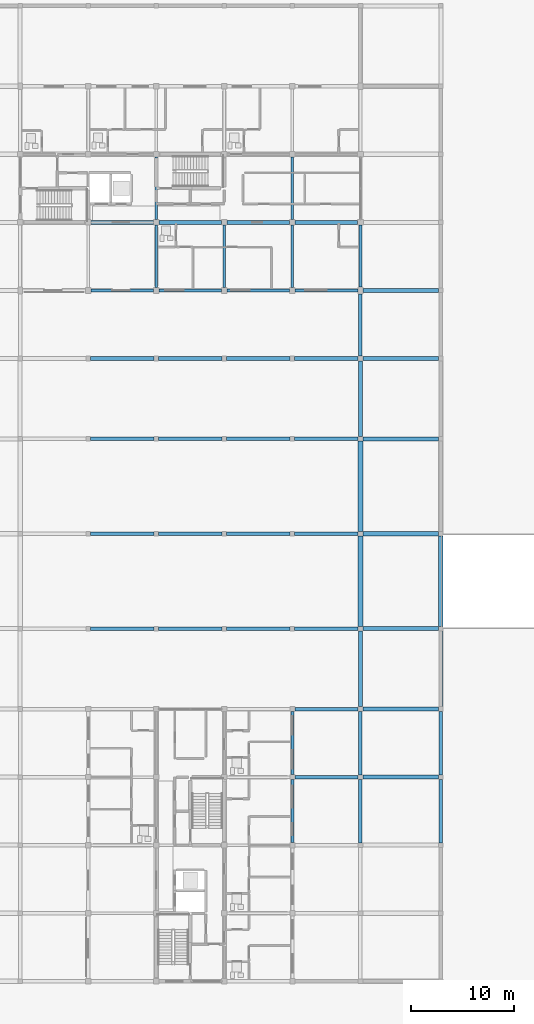
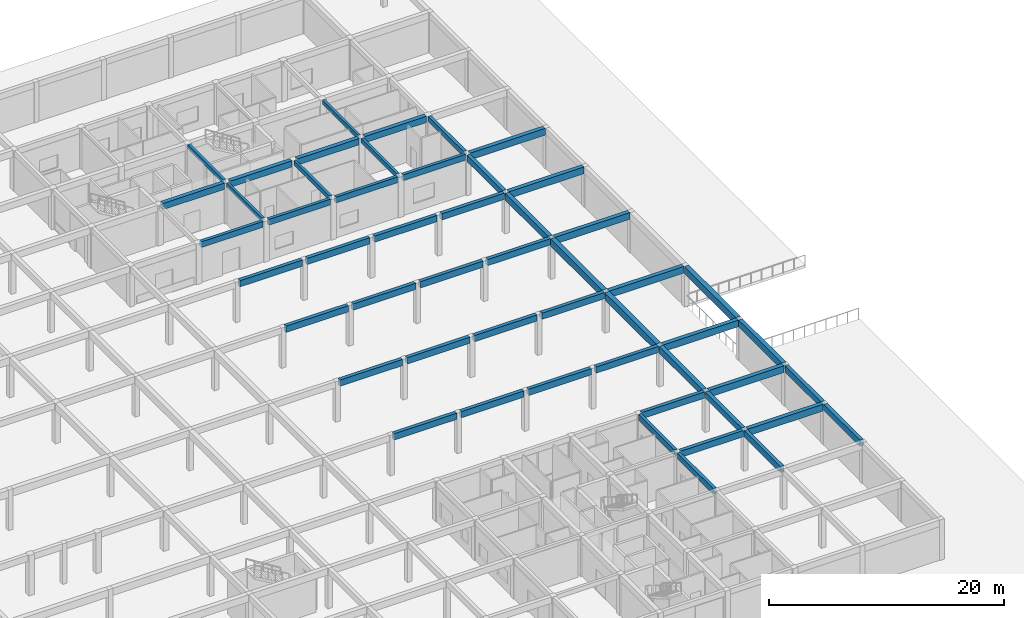
# One storey, part 41 of 75: 52 beams.
"""IFC4 building model written with IfcOpenShell, lengths in metres."""

from ifc_helpers import new_model, si_unit, direction, frame, origin, origin_2d, place, context, subcontext, project, spatial, rectangle, extrude, material, material_profile, profile_set, type_object, element, save


model = new_model("IFC4")

# Units and contexts
model_context = context("Model", 3, precision=1e-05, world=origin(), true_north=direction((0.0, 1.0)))
body_context = subcontext(model_context, "Body", "Model", "MODEL_VIEW")
ifc_project = project(units=[si_unit("LENGTHUNIT", "METRE"), si_unit("AREAUNIT", "SQUARE_METRE"), si_unit("VOLUMEUNIT", "CUBIC_METRE"), si_unit("PLANEANGLEUNIT", "RADIAN"), si_unit("MASSUNIT", "GRAM", prefix="KILO")], contexts=[model_context])

# Site, building, storey
site_placement = place(None, origin())
site = spatial("IfcSite", under=ifc_project, at=site_placement, CompositionType="ELEMENT")
building_placement = place(site_placement, origin())
building = spatial("IfcBuilding", under=site, at=building_placement, Name="Kernevlak Ridge Housing Community", CompositionType="ELEMENT")
storey_placement = place(building_placement, origin())
storey = spatial("IfcBuildingStorey", under=building, at=storey_placement, Name="L00", CompositionType="ELEMENT", Elevation=0.0)

# Beams
ifc_material = material(Name="Concrete C35/45", Category="concrete")
ifc_material_profile_1 = material_profile(ifc_material, rectangle(XDim=0.39990234375, YDim=0.699951171875, at=origin_2d()), Name="RC 400x700")
ifc_profile_set_1 = profile_set([ifc_material_profile_1], Name="Concrete C35/45")
beam_type_1 = type_object("IfcBeamType", Name="B-01", PredefinedType="BEAM", material=ifc_profile_set_1)
for number, where, z_axis, x_axis, name in (
    (1, (152.625, 35.39990234375, 3.85009765625), (1.0, 0.0, 0.0), (0.0, 1.0, 0.0), "Beam B-01 L00 2104"),
    (2, (152.625, 42.0, 3.85009765625), (1.0, 0.0, 0.0), (0.0, 1.0, 0.0), "Beam B-01 L00 2121"),
    (3, (152.625, 49.800048828125, 3.85009765625), (1.0, 0.0, 0.0), (0.0, 1.0, 0.0), "Beam B-01 L00 2144"),
    (4, (152.625, 59.0, 3.85009765625), (1.0, 0.0, 0.0), (0.0, 1.0, 0.0), "Beam B-01 L00 2163"),
    (5, (152.625, 68.199951171875, 3.85009765625), (1.0, 0.0, 0.0), (0.0, 1.0, 0.0), "Beam B-01 L00 2186"),
    (6, (152.625, 76.0, 3.85009765625), (1.0, 0.0, 0.0), (0.0, 1.0, 0.0), "Beam B-01 L00 2203"),
    (7, (152.625, 82.60009765625, 3.85009765625), (1.0, 0.0, 0.0), (0.0, 1.0, 0.0), "Beam B-01 L00 2213"),
):
    element("IfcBeam", number, at=place(storey_placement, frame(where, z_axis=z_axis, x_axis=x_axis)), inside=storey, type_object=beam_type_1, Name=name, PredefinedType="BEAM", context=body_context, shape_type="SweptSolid", body=[
        extrude(rectangle(XDim=0.39990234375, YDim=0.699951171875, at=origin_2d()), origin(), (0.0, 0.0, 1.0), 7.35009765625),
    ])
for number, where, z_axis, x_axis, name in (
    (8, (152.39990234375, 42.22509765625, 3.85009765625), (0.0, 1.0, 0.0), (-1.0, 0.0, 0.0), "Beam B-01 L00 2383"),
    (9, (152.39990234375, 68.425048828125, 3.85009765625), (0.0, 1.0, 0.0), (-1.0, 0.0, 0.0), "Beam B-01 L00 2386"),
    (10, (160.199951171875, 42.22509765625, 3.85009765625), (0.0, 1.0, 0.0), (-1.0, 0.0, 0.0), "Beam B-01 L00 2393"),
):
    element("IfcBeam", number, at=place(storey_placement, frame(where, z_axis=z_axis, x_axis=x_axis)), inside=storey, type_object=beam_type_1, Name=name, PredefinedType="BEAM", context=body_context, shape_type="SweptSolid", body=[
        extrude(rectangle(XDim=0.39990234375, YDim=0.699951171875, at=origin_2d()), origin(), (0.0, 0.0, 1.0), 7.349853515625),
    ])
ifc_material_profile_2 = material_profile(ifc_material, rectangle(XDim=0.35009765625, YDim=0.64990234375, at=origin_2d()), Name="RC 350x650")
ifc_profile_set_2 = profile_set([ifc_material_profile_2], Name="Concrete C35/45")
beam_type_2 = type_object("IfcBeamType", Name="B-02", PredefinedType="BEAM", material=ifc_profile_set_2)
for number, where, z_axis, x_axis, name in (
    (11, (146.050048828125, 35.39990234375, 3.875), (1.0, 0.0, 0.0), (0.0, 1.0, 0.0), "Beam B-02 L00 2103"),
    (12, (146.050048828125, 42.0, 3.875), (1.0, 0.0, 0.0), (0.0, 1.0, 0.0), "Beam B-02 L00 2120"),
):
    element("IfcBeam", number, at=place(storey_placement, frame(where, z_axis=z_axis, x_axis=x_axis)), inside=storey, type_object=beam_type_2, Name=name, PredefinedType="BEAM", context=body_context, shape_type="SweptSolid", body=[
        extrude(rectangle(XDim=0.35009765625, YDim=0.64990234375, at=origin_2d()), origin(), (0.0, 0.0, 1.0), 6.125),
    ])
beam_1_placement = place(storey_placement, frame((126.22509765625, 49.800048828125, 3.875), z_axis=(1.0, 0.0, 0.0), x_axis=(0.0, 1.0, 0.0)))
element("IfcBeam", 13, at=beam_1_placement, inside=storey, type_object=beam_type_2, Name="Beam B-02 L00 2140", PredefinedType="BEAM", context=body_context, shape_type="SweptSolid", body=[
    extrude(rectangle(XDim=0.35009765625, YDim=0.64990234375, at=origin_2d()), origin(), (0.0, 0.0, 1.0), 6.14990234375),
])
beam_2_placement = place(storey_placement, frame((132.824951171875, 49.800048828125, 3.875), z_axis=(1.0, 0.0, 0.0), x_axis=(0.0, 1.0, 0.0)))
element("IfcBeam", 14, at=beam_2_placement, inside=storey, type_object=beam_type_2, Name="Beam B-02 L00 2141", PredefinedType="BEAM", context=body_context, shape_type="SweptSolid", body=[
    extrude(rectangle(XDim=0.35009765625, YDim=0.64990234375, at=origin_2d()), origin(), (0.0, 0.0, 1.0), 6.150146484375),
])
beam_3_placement = place(storey_placement, frame((139.425048828125, 49.800048828125, 3.875), z_axis=(1.0, 0.0, 0.0), x_axis=(0.0, 1.0, 0.0)))
element("IfcBeam", 15, at=beam_3_placement, inside=storey, type_object=beam_type_2, Name="Beam B-02 L00 2142", PredefinedType="BEAM", context=body_context, shape_type="SweptSolid", body=[
    extrude(rectangle(XDim=0.35009765625, YDim=0.64990234375, at=origin_2d()), origin(), (0.0, 0.0, 1.0), 6.14990234375),
])
beam_4_placement = place(storey_placement, frame((146.02490234375, 49.800048828125, 3.875), z_axis=(1.0, 0.0, 0.0), x_axis=(0.0, 1.0, 0.0)))
element("IfcBeam", 16, at=beam_4_placement, inside=storey, type_object=beam_type_2, Name="Beam B-02 L00 2143", PredefinedType="BEAM", context=body_context, shape_type="SweptSolid", body=[
    extrude(rectangle(XDim=0.35009765625, YDim=0.64990234375, at=origin_2d()), origin(), (0.0, 0.0, 1.0), 6.150146484375),
])
beam_5_placement = place(storey_placement, frame((126.22509765625, 59.0, 3.875), z_axis=(1.0, 0.0, 0.0), x_axis=(0.0, 1.0, 0.0)))
element("IfcBeam", 17, at=beam_5_placement, inside=storey, type_object=beam_type_2, Name="Beam B-02 L00 2159", PredefinedType="BEAM", context=body_context, shape_type="SweptSolid", body=[
    extrude(rectangle(XDim=0.35009765625, YDim=0.64990234375, at=origin_2d()), origin(), (0.0, 0.0, 1.0), 6.14990234375),
])
beam_6_placement = place(storey_placement, frame((132.824951171875, 59.0, 3.875), z_axis=(1.0, 0.0, 0.0), x_axis=(0.0, 1.0, 0.0)))
element("IfcBeam", 18, at=beam_6_placement, inside=storey, type_object=beam_type_2, Name="Beam B-02 L00 2160", PredefinedType="BEAM", context=body_context, shape_type="SweptSolid", body=[
    extrude(rectangle(XDim=0.35009765625, YDim=0.64990234375, at=origin_2d()), origin(), (0.0, 0.0, 1.0), 6.150146484375),
])
beam_7_placement = place(storey_placement, frame((139.425048828125, 59.0, 3.875), z_axis=(1.0, 0.0, 0.0), x_axis=(0.0, 1.0, 0.0)))
element("IfcBeam", 19, at=beam_7_placement, inside=storey, type_object=beam_type_2, Name="Beam B-02 L00 2161", PredefinedType="BEAM", context=body_context, shape_type="SweptSolid", body=[
    extrude(rectangle(XDim=0.35009765625, YDim=0.64990234375, at=origin_2d()), origin(), (0.0, 0.0, 1.0), 6.14990234375),
])
beam_8_placement = place(storey_placement, frame((146.02490234375, 59.0, 3.875), z_axis=(1.0, 0.0, 0.0), x_axis=(0.0, 1.0, 0.0)))
element("IfcBeam", 20, at=beam_8_placement, inside=storey, type_object=beam_type_2, Name="Beam B-02 L00 2162", PredefinedType="BEAM", context=body_context, shape_type="SweptSolid", body=[
    extrude(rectangle(XDim=0.35009765625, YDim=0.64990234375, at=origin_2d()), origin(), (0.0, 0.0, 1.0), 6.150146484375),
])
beam_9_placement = place(storey_placement, frame((126.22509765625, 68.199951171875, 3.875), z_axis=(1.0, 0.0, 0.0), x_axis=(0.0, 1.0, 0.0)))
element("IfcBeam", 21, at=beam_9_placement, inside=storey, type_object=beam_type_2, Name="Beam B-02 L00 2182", PredefinedType="BEAM", context=body_context, shape_type="SweptSolid", body=[
    extrude(rectangle(XDim=0.35009765625, YDim=0.64990234375, at=origin_2d()), origin(), (0.0, 0.0, 1.0), 6.14990234375),
])
beam_10_placement = place(storey_placement, frame((132.824951171875, 68.199951171875, 3.875), z_axis=(1.0, 0.0, 0.0), x_axis=(0.0, 1.0, 0.0)))
element("IfcBeam", 22, at=beam_10_placement, inside=storey, type_object=beam_type_2, Name="Beam B-02 L00 2183", PredefinedType="BEAM", context=body_context, shape_type="SweptSolid", body=[
    extrude(rectangle(XDim=0.35009765625, YDim=0.64990234375, at=origin_2d()), origin(), (0.0, 0.0, 1.0), 6.150146484375),
])
beam_11_placement = place(storey_placement, frame((139.425048828125, 68.199951171875, 3.875), z_axis=(1.0, 0.0, 0.0), x_axis=(0.0, 1.0, 0.0)))
element("IfcBeam", 23, at=beam_11_placement, inside=storey, type_object=beam_type_2, Name="Beam B-02 L00 2184", PredefinedType="BEAM", context=body_context, shape_type="SweptSolid", body=[
    extrude(rectangle(XDim=0.35009765625, YDim=0.64990234375, at=origin_2d()), origin(), (0.0, 0.0, 1.0), 6.14990234375),
])
beam_12_placement = place(storey_placement, frame((146.02490234375, 68.199951171875, 3.875), z_axis=(1.0, 0.0, 0.0), x_axis=(0.0, 1.0, 0.0)))
element("IfcBeam", 24, at=beam_12_placement, inside=storey, type_object=beam_type_2, Name="Beam B-02 L00 2185", PredefinedType="BEAM", context=body_context, shape_type="SweptSolid", body=[
    extrude(rectangle(XDim=0.35009765625, YDim=0.64990234375, at=origin_2d()), origin(), (0.0, 0.0, 1.0), 6.150146484375),
])
beam_13_placement = place(storey_placement, frame((126.22509765625, 76.0, 3.875), z_axis=(1.0, 0.0, 0.0), x_axis=(0.0, 1.0, 0.0)))
element("IfcBeam", 25, at=beam_13_placement, inside=storey, type_object=beam_type_2, Name="Beam B-02 L00 2199", PredefinedType="BEAM", context=body_context, shape_type="SweptSolid", body=[
    extrude(rectangle(XDim=0.35009765625, YDim=0.64990234375, at=origin_2d()), origin(), (0.0, 0.0, 1.0), 6.14990234375),
])
beam_14_placement = place(storey_placement, frame((132.824951171875, 76.0, 3.875), z_axis=(1.0, 0.0, 0.0), x_axis=(0.0, 1.0, 0.0)))
element("IfcBeam", 26, at=beam_14_placement, inside=storey, type_object=beam_type_2, Name="Beam B-02 L00 2200", PredefinedType="BEAM", context=body_context, shape_type="SweptSolid", body=[
    extrude(rectangle(XDim=0.35009765625, YDim=0.64990234375, at=origin_2d()), origin(), (0.0, 0.0, 1.0), 6.150146484375),
])
beam_15_placement = place(storey_placement, frame((139.425048828125, 76.0, 3.875), z_axis=(1.0, 0.0, 0.0), x_axis=(0.0, 1.0, 0.0)))
element("IfcBeam", 27, at=beam_15_placement, inside=storey, type_object=beam_type_2, Name="Beam B-02 L00 2201", PredefinedType="BEAM", context=body_context, shape_type="SweptSolid", body=[
    extrude(rectangle(XDim=0.35009765625, YDim=0.64990234375, at=origin_2d()), origin(), (0.0, 0.0, 1.0), 6.14990234375),
])
for number, where, z_axis, x_axis, name in (
    (28, (146.02490234375, 76.0, 3.875), (1.0, 0.0, 0.0), (0.0, 1.0, 0.0), "Beam B-02 L00 2202"),
    (29, (152.39990234375, 29.02490234375, 3.875), (0.0, 1.0, 0.0), (-1.0, 0.0, 0.0), "Beam B-02 L00 2381"),
):
    element("IfcBeam", number, at=place(storey_placement, frame(where, z_axis=z_axis, x_axis=x_axis)), inside=storey, type_object=beam_type_2, Name=name, PredefinedType="BEAM", context=body_context, shape_type="SweptSolid", body=[
        extrude(rectangle(XDim=0.35009765625, YDim=0.64990234375, at=origin_2d()), origin(), (0.0, 0.0, 1.0), 6.150146484375),
    ])
beam_16_placement = place(storey_placement, frame((152.39990234375, 35.625, 3.875), z_axis=(0.0, 1.0, 0.0), x_axis=(-1.0, 0.0, 0.0)))
element("IfcBeam", 30, at=beam_16_placement, inside=storey, type_object=beam_type_2, Name="Beam B-02 L00 2382", PredefinedType="BEAM", context=body_context, shape_type="SweptSolid", body=[
    extrude(rectangle(XDim=0.35009765625, YDim=0.64990234375, at=origin_2d()), origin(), (0.0, 0.0, 1.0), 6.14990234375),
])
beam_17_placement = place(storey_placement, frame((152.39990234375, 76.22509765625, 3.875), z_axis=(0.0, 1.0, 0.0), x_axis=(-1.0, 0.0, 0.0)))
element("IfcBeam", 31, at=beam_17_placement, inside=storey, type_object=beam_type_2, Name="Beam B-02 L00 2387", PredefinedType="BEAM", context=body_context, shape_type="SweptSolid", body=[
    extrude(rectangle(XDim=0.35009765625, YDim=0.64990234375, at=origin_2d()), origin(), (0.0, 0.0, 1.0), 6.0498046875),
])
beam_18_placement = place(storey_placement, frame((160.199951171875, 29.02490234375, 3.875), z_axis=(0.0, 1.0, 0.0), x_axis=(-1.0, 0.0, 0.0)))
element("IfcBeam", 32, at=beam_18_placement, inside=storey, type_object=beam_type_2, Name="Beam B-02 L00 2391", PredefinedType="BEAM", context=body_context, shape_type="SweptSolid", body=[
    extrude(rectangle(XDim=0.35009765625, YDim=0.64990234375, at=origin_2d()), origin(), (0.0, 0.0, 1.0), 6.150146484375),
])
beam_19_placement = place(storey_placement, frame((160.199951171875, 35.625, 3.875), z_axis=(0.0, 1.0, 0.0), x_axis=(-1.0, 0.0, 0.0)))
element("IfcBeam", 33, at=beam_19_placement, inside=storey, type_object=beam_type_2, Name="Beam B-02 L00 2392", PredefinedType="BEAM", context=body_context, shape_type="SweptSolid", body=[
    extrude(rectangle(XDim=0.35009765625, YDim=0.64990234375, at=origin_2d()), origin(), (0.0, 0.0, 1.0), 6.14990234375),
])
ifc_material_profile_3 = material_profile(ifc_material, rectangle(XDim=0.39990234375, YDim=0.64990234375, at=origin_2d()), Name="RC 400x650")
ifc_profile_set_3 = profile_set([ifc_material_profile_3], Name="Concrete C35/45")
beam_type_3 = type_object("IfcBeamType", Name="B-03", PredefinedType="T_BEAM", material=ifc_profile_set_3)
for number, where, z_axis, x_axis, name in (
    (34, (126.27490234375, 89.199951171875, 3.875), (1.0, 0.0, 0.0), (0.0, 1.0, 0.0), "Beam B-03 L00 563"),
    (35, (132.875, 89.199951171875, 3.875), (1.0, 0.0, 0.0), (0.0, 1.0, 0.0), "Beam B-03 L00 564"),
):
    element("IfcBeam", number, at=place(storey_placement, frame(where, z_axis=z_axis, x_axis=x_axis)), inside=storey, type_object=beam_type_3, Name=name, PredefinedType="T_BEAM", context=body_context, shape_type="SweptSolid", body=[
        extrude(rectangle(XDim=0.39990234375, YDim=0.64990234375, at=origin_2d()), origin(), (0.0, 0.0, 1.0), 6.050048828125),
    ])
beam_20_placement = place(storey_placement, frame((139.47509765625, 89.199951171875, 3.875), z_axis=(1.0, 0.0, 0.0), x_axis=(0.0, 1.0, 0.0)))
element("IfcBeam", 36, at=beam_20_placement, inside=storey, type_object=beam_type_3, Name="Beam B-03 L00 565", PredefinedType="T_BEAM", context=body_context, shape_type="SweptSolid", body=[
    extrude(rectangle(XDim=0.39990234375, YDim=0.64990234375, at=origin_2d()), origin(), (0.0, 0.0, 1.0), 6.0498046875),
])
beam_21_placement = place(storey_placement, frame((146.074951171875, 89.199951171875, 3.875), z_axis=(1.0, 0.0, 0.0), x_axis=(0.0, 1.0, 0.0)))
element("IfcBeam", 37, at=beam_21_placement, inside=storey, type_object=beam_type_3, Name="Beam B-03 L00 566", PredefinedType="T_BEAM", context=body_context, shape_type="SweptSolid", body=[
    extrude(rectangle(XDim=0.39990234375, YDim=0.64990234375, at=origin_2d()), origin(), (0.0, 0.0, 1.0), 6.050048828125),
])
ifc_material_profile_4 = material_profile(ifc_material, rectangle(XDim=0.25, YDim=0.449951171875, at=origin_2d()), Name="RC 250x450")
ifc_profile_set_4 = profile_set([ifc_material_profile_4], Name="Concrete C35/45")
beam_type_4 = type_object("IfcBeamType", Name="B-04", PredefinedType="T_BEAM", material=ifc_profile_set_4)
beam_22_placement = place(storey_placement, frame((132.60009765625, 82.875, 3.97509765625), z_axis=(0.0, 1.0, 0.0), x_axis=(-1.0, 0.0, 0.0)))
element("IfcBeam", 38, at=beam_22_placement, inside=storey, type_object=beam_type_4, Name="Beam B-04 L00 582", PredefinedType="T_BEAM", context=body_context, shape_type="SweptSolid", body=[
    extrude(rectangle(XDim=0.25, YDim=0.449951171875, at=origin_2d()), origin(), (0.0, 0.0, 1.0), 6.050048828125),
])
beam_23_placement = place(storey_placement, frame((132.60009765625, 89.47509765625, 3.97509765625), z_axis=(0.0, 1.0, 0.0), x_axis=(-1.0, 0.0, 0.0)))
element("IfcBeam", 39, at=beam_23_placement, inside=storey, type_object=beam_type_4, Name="Beam B-04 L00 583", PredefinedType="T_BEAM", context=body_context, shape_type="SweptSolid", body=[
    extrude(rectangle(XDim=0.25, YDim=0.449951171875, at=origin_2d()), origin(), (0.0, 0.0, 1.0), 6.0498046875),
])
for number, where, z_axis, x_axis, name in (
    (40, (139.199951171875, 82.875, 3.97509765625), (0.0, 1.0, 0.0), (-1.0, 0.0, 0.0), "Beam B-04 L00 585"),
    (41, (145.800048828125, 82.875, 3.97509765625), (0.0, 1.0, 0.0), (-1.0, 0.0, 0.0), "Beam B-04 L00 587"),
):
    element("IfcBeam", number, at=place(storey_placement, frame(where, z_axis=z_axis, x_axis=x_axis)), inside=storey, type_object=beam_type_4, Name=name, PredefinedType="T_BEAM", context=body_context, shape_type="SweptSolid", body=[
        extrude(rectangle(XDim=0.25, YDim=0.449951171875, at=origin_2d()), origin(), (0.0, 0.0, 1.0), 6.050048828125),
    ])
beam_24_placement = place(storey_placement, frame((145.800048828125, 89.47509765625, 3.97509765625), z_axis=(0.0, 1.0, 0.0), x_axis=(-1.0, 0.0, 0.0)))
element("IfcBeam", 42, at=beam_24_placement, inside=storey, type_object=beam_type_4, Name="Beam B-04 L00 588", PredefinedType="T_BEAM", context=body_context, shape_type="SweptSolid", body=[
    extrude(rectangle(XDim=0.25, YDim=0.449951171875, at=origin_2d()), origin(), (0.0, 0.0, 1.0), 6.0498046875),
])
ifc_material_profile_5 = material_profile(ifc_material, rectangle(XDim=0.449951171875, YDim=0.75, at=origin_2d()), Name="RC 450x750")
ifc_profile_set_5 = profile_set([ifc_material_profile_5], Name="Concrete C35/45")
beam_type_5 = type_object("IfcBeamType", Name="B-05", PredefinedType="BEAM", material=ifc_profile_set_5)
for number, where, z_axis, x_axis, name in (
    (43, (152.39990234375, 50.02490234375, 3.824951171875), (0.0, 1.0, 0.0), (-1.0, 0.0, 0.0), "Beam B-05 L00 2384"),
    (44, (152.39990234375, 59.22509765625, 3.824951171875), (0.0, 1.0, 0.0), (-1.0, 0.0, 0.0), "Beam B-05 L00 2385"),
    (45, (160.199951171875, 50.02490234375, 3.824951171875), (0.0, 1.0, 0.0), (-1.0, 0.0, 0.0), "Beam B-05 L00 2394"),
):
    element("IfcBeam", number, at=place(storey_placement, frame(where, z_axis=z_axis, x_axis=x_axis)), inside=storey, type_object=beam_type_5, Name=name, PredefinedType="BEAM", context=body_context, shape_type="SweptSolid", body=[
        extrude(rectangle(XDim=0.449951171875, YDim=0.75, at=origin_2d()), origin(), (0.0, 0.0, 1.0), 8.75),
    ])
ifc_material_profile_6 = material_profile(ifc_material, rectangle(XDim=0.300048828125, YDim=0.550048828125, at=origin_2d()), Name="RC 300x550")
ifc_profile_set_6 = profile_set([ifc_material_profile_6], Name="Concrete C35/45")
beam_type_6 = type_object("IfcBeamType", Name="SP-01", PredefinedType="SPANDREL", material=ifc_profile_set_6)
beam_25_placement = place(storey_placement, frame((152.39990234375, 82.925048828125, 3.925048828125), z_axis=(0.0, 1.0, 0.0), x_axis=(-1.0, 0.0, 0.0)))
element("IfcBeam", 46, at=beam_25_placement, inside=storey, type_object=beam_type_6, Name="Beam SP-01 L00 590", PredefinedType="SPANDREL", context=body_context, shape_type="SweptSolid", body=[
    extrude(rectangle(XDim=0.300048828125, YDim=0.550048828125, at=origin_2d()), origin(), (0.0, 0.0, 1.0), 6.0),
])
ifc_material_profile_7 = material_profile(ifc_material, rectangle(XDim=0.300048828125, YDim=0.60009765625, at=origin_2d()), Name="RC 300x600")
ifc_profile_set_7 = profile_set([ifc_material_profile_7], Name="Concrete C35/45")
beam_type_7 = type_object("IfcBeamType", Name="SP-02", PredefinedType="SPANDREL", material=ifc_profile_set_7)
for number, where, z_axis, x_axis, name in (
    (47, (126.27490234375, 82.60009765625, 3.89990234375), (1.0, 0.0, 0.0), (0.0, 1.0, 0.0), "Beam SP-02 L00 558"),
    (48, (132.875, 82.60009765625, 3.89990234375), (1.0, 0.0, 0.0), (0.0, 1.0, 0.0), "Beam SP-02 L00 559"),
):
    element("IfcBeam", number, at=place(storey_placement, frame(where, z_axis=z_axis, x_axis=x_axis)), inside=storey, type_object=beam_type_7, Name=name, PredefinedType="SPANDREL", context=body_context, shape_type="SweptSolid", body=[
        extrude(rectangle(XDim=0.300048828125, YDim=0.60009765625, at=origin_2d()), origin(), (0.0, 0.0, 1.0), 6.050048828125),
    ])
beam_26_placement = place(storey_placement, frame((139.47509765625, 82.60009765625, 3.89990234375), z_axis=(1.0, 0.0, 0.0), x_axis=(0.0, 1.0, 0.0)))
element("IfcBeam", 49, at=beam_26_placement, inside=storey, type_object=beam_type_7, Name="Beam SP-02 L00 560", PredefinedType="SPANDREL", context=body_context, shape_type="SweptSolid", body=[
    extrude(rectangle(XDim=0.300048828125, YDim=0.60009765625, at=origin_2d()), origin(), (0.0, 0.0, 1.0), 6.0498046875),
])
beam_27_placement = place(storey_placement, frame((146.074951171875, 82.60009765625, 3.89990234375), z_axis=(1.0, 0.0, 0.0), x_axis=(0.0, 1.0, 0.0)))
element("IfcBeam", 50, at=beam_27_placement, inside=storey, type_object=beam_type_7, Name="Beam SP-02 L00 561", PredefinedType="SPANDREL", context=body_context, shape_type="SweptSolid", body=[
    extrude(rectangle(XDim=0.300048828125, YDim=0.60009765625, at=origin_2d()), origin(), (0.0, 0.0, 1.0), 6.10009765625),
])
beam_28_placement = place(storey_placement, frame((145.800048828125, 29.050048828125, 3.89990234375), z_axis=(0.0, 1.0, 0.0), x_axis=(-1.0, 0.0, 0.0)))
element("IfcBeam", 51, at=beam_28_placement, inside=storey, type_object=beam_type_7, Name="Beam SP-02 L00 1002", PredefinedType="SPANDREL", context=body_context, shape_type="SweptSolid", body=[
    extrude(rectangle(XDim=0.300048828125, YDim=0.60009765625, at=origin_2d()), origin(), (0.0, 0.0, 1.0), 6.099853515625),
])
beam_29_placement = place(storey_placement, frame((145.800048828125, 35.64990234375, 3.89990234375), z_axis=(0.0, 1.0, 0.0), x_axis=(-1.0, 0.0, 0.0)))
element("IfcBeam", 52, at=beam_29_placement, inside=storey, type_object=beam_type_7, Name="Beam SP-02 L00 1003", PredefinedType="SPANDREL", context=body_context, shape_type="SweptSolid", body=[
    extrude(rectangle(XDim=0.300048828125, YDim=0.60009765625, at=origin_2d()), origin(), (0.0, 0.0, 1.0), 6.10009765625),
])

save(model, "model.ifc")
